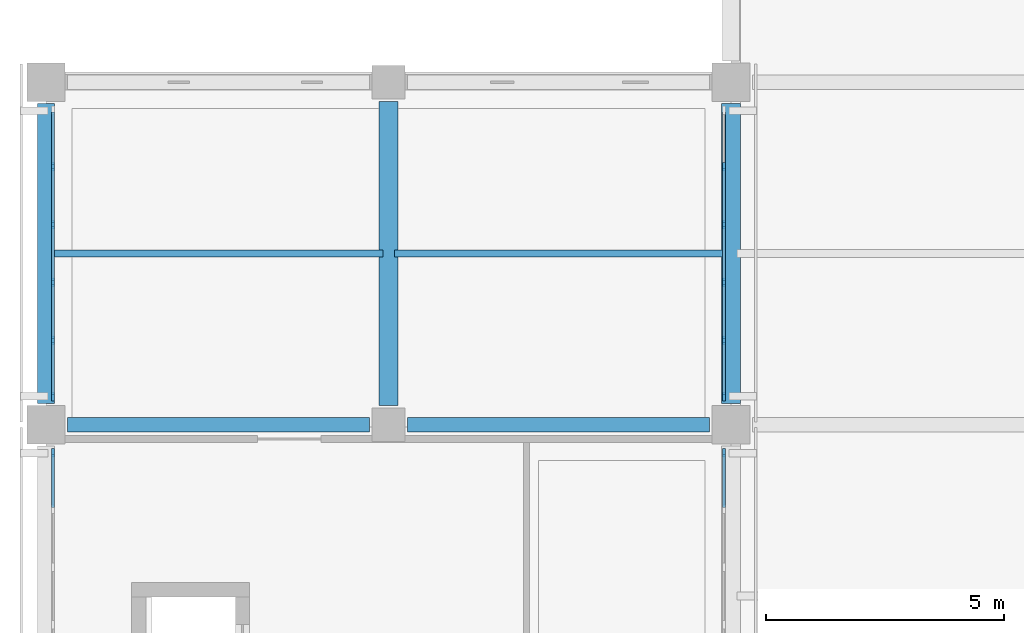
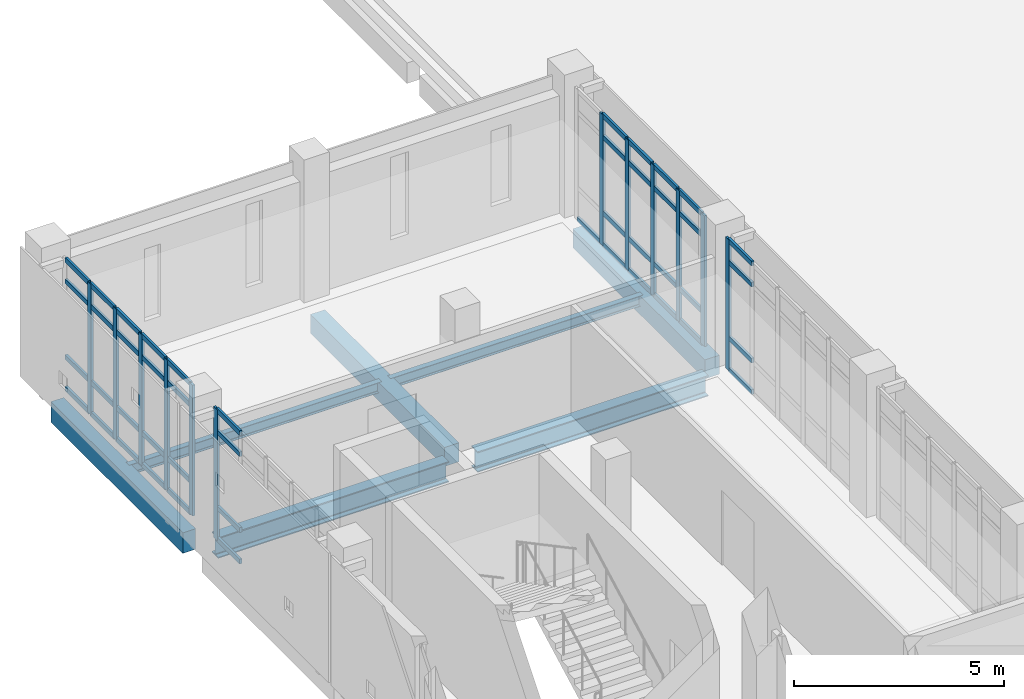
# One storey, part 21 of 51: 57 members, 7 beams, 4 elements without a shape of their own.
"""IFC4 building model written with IfcOpenShell, lengths in metres."""

from ifc_helpers import new_model, si_unit, direction, frame, origin, origin_2d, place, context, subcontext, project, spatial, rectangle, i_section, extrude, material, layer, layer_set, material_profile, profile_set, type_object, element, aggregate, save


model = new_model("IFC4")

# Units and contexts
model_context = context("Model", 3, precision=1e-05, world=origin(), true_north=direction((0.0, 1.0)))
body_context = subcontext(model_context, "Body", "Model", "MODEL_VIEW")
ifc_project = project(units=[si_unit("LENGTHUNIT", "METRE"), si_unit("AREAUNIT", "SQUARE_METRE"), si_unit("VOLUMEUNIT", "CUBIC_METRE"), si_unit("PLANEANGLEUNIT", "RADIAN"), si_unit("MASSUNIT", "GRAM", prefix="KILO")], contexts=[model_context])

# Site, building, storey
site_placement = place(None, origin())
site = spatial("IfcSite", under=ifc_project, at=site_placement, CompositionType="ELEMENT")
building_placement = place(site_placement, origin())
building = spatial("IfcBuilding", under=site, at=building_placement, Name="Valkovuoma Quantum and Materials Research Institute", CompositionType="ELEMENT")
storey_placement = place(building_placement, frame((0.0, 0.0, 17.280029296875)))
storey = spatial("IfcBuildingStorey", under=building, at=storey_placement, Name="L04", CompositionType="ELEMENT", Elevation=17.280029296875)

# Beams
ifc_material_1 = material(Name="Steel S355J2", Category="steel")
ifc_material_profile_1 = material_profile(ifc_material_1, i_section(OverallWidth=0.300048828125, OverallDepth=0.60009765625, WebThickness=0.015380859375, FlangeThickness=0.030029296875, FilletRadius=0.027099609375, at=origin_2d()), Name="Steel S355J2")
ifc_profile_set_1 = profile_set([ifc_material_profile_1], Name="Steel S355J2")
beam_type_1 = type_object("IfcBeamType", Name="Beam-B-HEB600", PredefinedType="BEAM", material=ifc_profile_set_1)
beam_1_placement = place(storey_placement, frame((0.449951171875, 86.39990234375, -0.650146484375), z_axis=(1.0, 0.0, 0.0), x_axis=(0.0, 1.0, 0.0)))
element("IfcBeam", 1, at=beam_1_placement, inside=storey, type_object=beam_type_1, Name="L04 beam X-1872", PredefinedType="BEAM", context=body_context, shape_type="SweptSolid", body=[
    extrude(i_section(OverallWidth=0.300048828125, OverallDepth=0.60009765625, WebThickness=0.015380859375, FlangeThickness=0.030029296875, FilletRadius=0.027099609375, at=origin_2d()), origin(), (0.0, 0.0, 1.0), 6.35009765625),
])
beam_2_placement = place(storey_placement, frame((7.60009765625, 86.39990234375, -0.650146484375), z_axis=(1.0, 0.0, 0.0), x_axis=(0.0, 1.0, 0.0)))
element("IfcBeam", 2, at=beam_2_placement, inside=storey, type_object=beam_type_1, Name="L04 beam X-1873", PredefinedType="BEAM", context=body_context, shape_type="SweptSolid", body=[
    extrude(i_section(OverallWidth=0.300048828125, OverallDepth=0.60009765625, WebThickness=0.015380859375, FlangeThickness=0.030029296875, FilletRadius=0.027099609375, at=origin_2d()), origin(), (0.0, 0.0, 1.0), 6.349853515625),
])
ifc_material_2 = material(Name="Steel S355J2", Category="steel")
ifc_material_profile_2 = material_profile(ifc_material_2, i_section(OverallWidth=0.14990234375, OverallDepth=0.300048828125, WebThickness=0.007080078125, FlangeThickness=0.0107421875, FilletRadius=0.014892578125, at=origin_2d()), Name="Steel S355J2")
ifc_profile_set_2 = profile_set([ifc_material_profile_2], Name="Steel S355J2")
beam_type_2 = type_object("IfcBeamType", Name="Beam-B-JST300", PredefinedType="JOIST", material=ifc_profile_set_2)
for number, where, z_axis, x_axis, name in (
    (3, (0.1201171875, 90.0, -0.5), (1.0, 0.0, 0.0), (0.0, 1.0, 0.0), "L04 floor joist 2074"),
    (4, (7.320068359375, 90.0, -0.5), (1.0, 0.0, 0.0), (0.0, 1.0, 0.0), "L04 floor joist 2075"),
):
    element("IfcBeam", number, at=place(storey_placement, frame(where, z_axis=z_axis, x_axis=x_axis)), inside=storey, type_object=beam_type_2, Name=name, PredefinedType="JOIST", context=body_context, shape_type="SweptSolid", body=[
        extrude(i_section(OverallWidth=0.14990234375, OverallDepth=0.300048828125, WebThickness=0.007080078125, FlangeThickness=0.0107421875, FilletRadius=0.014892578125, at=origin_2d()), origin(), (0.0, 0.0, 1.0), 6.9599609375),
    ])
ifc_material_3 = material(Name="Concrete C40/50", Category="concrete")
ifc_material_profile_3 = material_profile(ifc_material_3, rectangle(XDim=0.39990234375, YDim=0.550048828125, at=origin_2d()), Name="Concrete C40/50")
ifc_profile_set_3 = profile_set([ifc_material_profile_3], Name="Concrete C40/50")
beam_type_3 = type_object("IfcBeamType", Name="Beam-B-RC550", PredefinedType="BEAM", material=ifc_profile_set_3)
beam_3_placement = place(storey_placement, frame((7.199951171875, 86.800048828125, -0.625), z_axis=(0.0, 1.0, 0.0), x_axis=(-1.0, 0.0, 0.0)))
element("IfcBeam", 5, at=beam_3_placement, inside=storey, type_object=beam_type_3, Name="L04 beam Y-1924", PredefinedType="BEAM", context=body_context, shape_type="SweptSolid", body=[
    extrude(rectangle(XDim=0.39990234375, YDim=0.550048828125, at=origin_2d()), origin(), (0.0, 0.0, 1.0), 6.39990234375),
])
beam_4_placement = place(storey_placement, frame((14.39990234375, 86.85009765625, -0.625), z_axis=(0.0, 1.0, 0.0), x_axis=(-1.0, 0.0, 0.0)))
element("IfcBeam", 6, at=beam_4_placement, inside=storey, type_object=beam_type_3, Name="L04 beam Y-1929", PredefinedType="BEAM", context=body_context, shape_type="SweptSolid", body=[
    extrude(rectangle(XDim=0.39990234375, YDim=0.550048828125, at=origin_2d()), origin(), (0.0, 0.0, 1.0), 6.2998046875),
])
ifc_material_4 = material(Name="Concrete C40/50", Category="concrete")
ifc_material_profile_4 = material_profile(ifc_material_4, rectangle(XDim=0.35009765625, YDim=0.60009765625, at=origin_2d()), Name="Concrete C40/50")
ifc_profile_set_4 = profile_set([ifc_material_profile_4], Name="Concrete C40/50")
beam_type_4 = type_object("IfcBeamType", Name="Beam-B-SPN600", PredefinedType="SPANDREL", material=ifc_profile_set_4)
beam_5_placement = place(storey_placement, frame((0.0, 86.85009765625, -0.650146484375), z_axis=(0.0, 1.0, 0.0), x_axis=(-1.0, 0.0, 0.0)))
element("IfcBeam", 7, at=beam_5_placement, inside=storey, type_object=beam_type_4, Name="L04 beam Y-1921", PredefinedType="SPANDREL", context=body_context, shape_type="SweptSolid", body=[
    extrude(rectangle(XDim=0.35009765625, YDim=0.60009765625, at=origin_2d()), origin(), (0.0, 0.0, 1.0), 6.2998046875),
])

# Curtain wall, member
ifc_material_5 = material(Name="Thermally broken aluminium and triple low-E glazing", Category="aluminium")
ifc_layer = layer(ifc_material_5, 0.219970703125)
ifc_layer_set = layer_set([ifc_layer], Name="Thermally broken aluminium and triple low-E glazing")
curtain_wall_type = type_object("IfcCurtainWallType", Name="CW-CW-01", PredefinedType="NOTDEFINED", material=ifc_layer_set)
curtain_wall_1_placement = place(storey_placement, origin())
curtain_wall_1 = element("IfcCurtainWall", 8, at=curtain_wall_1_placement, inside=storey, type_object=curtain_wall_type, Name="L04 curtain wall 051", PredefinedType="NOTDEFINED")
ifc_material_6 = material(Name="Anodised aluminium 6060-T66", Category="aluminium")
ifc_material_profile_5 = material_profile(ifc_material_6, rectangle(XDim=0.06494140625, YDim=0.179931640625, at=origin_2d()), Name="Anodised aluminium 6060-T66")
ifc_profile_set_5 = profile_set([ifc_material_profile_5], Name="Anodised aluminium 6060-T66")
member_type_1 = type_object("IfcMemberType", Name="CWMull-CWM-01", PredefinedType="MULLION", material=ifc_profile_set_5)
member_1_placement = place(storey_placement, frame((0.14990234375, 85.810302734375, 0.0), z_axis=(0.0, 0.0, 1.0), x_axis=(-1.0, 0.0, 0.0)))
member_1 = element("IfcMember", 9, at=member_1_placement, type_object=member_type_1, Name="CW-01 mullion 6", PredefinedType="MULLION", context=body_context, shape_type="SweptSolid", body=[
    extrude(rectangle(XDim=0.06494140625, YDim=0.179931640625, at=origin_2d()), origin(), (0.0, 0.0, 1.0), 3.81005859375),
])

curtain_wall_2_placement = place(storey_placement, origin())
curtain_wall_2 = element("IfcCurtainWall", 10, at=curtain_wall_2_placement, inside=storey, type_object=curtain_wall_type, Name="L04 curtain wall 052", PredefinedType="NOTDEFINED")
member_2_placement = place(storey_placement, frame((14.25, 85.810302734375, 0.0), z_axis=(0.0, 0.0, 1.0), x_axis=(-1.0, 0.0, 0.0)))
member_2 = element("IfcMember", 11, at=member_2_placement, type_object=member_type_1, Name="CW-01 mullion 6", PredefinedType="MULLION", context=body_context, shape_type="SweptSolid", body=[
    extrude(rectangle(XDim=0.06494140625, YDim=0.179931640625, at=origin_2d()), origin(), (0.0, 0.0, 1.0), 3.81005859375),
])

# Curtain wall, members
curtain_wall_3_placement = place(storey_placement, origin())
curtain_wall_3 = element("IfcCurtainWall", 12, at=curtain_wall_3_placement, inside=storey, type_object=curtain_wall_type, Name="L04 curtain wall 053", PredefinedType="NOTDEFINED")
member_3_placement = place(storey_placement, frame((0.14990234375, 86.989501953125, 0.0), z_axis=(0.0, 0.0, 1.0), x_axis=(-1.0, 0.0, 0.0)))
member_3 = element("IfcMember", 13, at=member_3_placement, type_object=member_type_1, Name="CW-01 mullion 1", PredefinedType="MULLION", context=body_context, shape_type="SweptSolid", body=[
    extrude(rectangle(XDim=0.06494140625, YDim=0.179931640625, at=origin_2d()), origin(), (0.0, 0.0, 1.0), 3.81005859375),
])
member_4_placement = place(storey_placement, frame((0.14990234375, 88.17431640625, 0.0), z_axis=(0.0, 0.0, 1.0), x_axis=(-1.0, 0.0, 0.0)))
member_4 = element("IfcMember", 14, at=member_4_placement, type_object=member_type_1, Name="CW-01 mullion 2", PredefinedType="MULLION", context=body_context, shape_type="SweptSolid", body=[
    extrude(rectangle(XDim=0.06494140625, YDim=0.179931640625, at=origin_2d()), origin(), (0.0, 0.0, 1.0), 3.81005859375),
])
member_5_placement = place(storey_placement, frame((0.14990234375, 89.391357421875, 0.0), z_axis=(0.0, 0.0, 1.0), x_axis=(-1.0, 0.0, 0.0)))
member_5 = element("IfcMember", 15, at=member_5_placement, type_object=member_type_1, Name="CW-01 mullion 3", PredefinedType="MULLION", context=body_context, shape_type="SweptSolid", body=[
    extrude(rectangle(XDim=0.06494140625, YDim=0.179931640625, at=origin_2d()), origin(), (0.0, 0.0, 1.0), 3.81005859375),
])
member_6_placement = place(storey_placement, frame((0.14990234375, 90.608642578125, 0.0), z_axis=(0.0, 0.0, 1.0), x_axis=(-1.0, 0.0, 0.0)))
member_6 = element("IfcMember", 16, at=member_6_placement, type_object=member_type_1, Name="CW-01 mullion 4", PredefinedType="MULLION", context=body_context, shape_type="SweptSolid", body=[
    extrude(rectangle(XDim=0.06494140625, YDim=0.179931640625, at=origin_2d()), origin(), (0.0, 0.0, 1.0), 3.81005859375),
])
member_7_placement = place(storey_placement, frame((0.14990234375, 91.82568359375, 0.0), z_axis=(0.0, 0.0, 1.0), x_axis=(-1.0, 0.0, 0.0)))
member_7 = element("IfcMember", 17, at=member_7_placement, type_object=member_type_1, Name="CW-01 mullion 5", PredefinedType="MULLION", context=body_context, shape_type="SweptSolid", body=[
    extrude(rectangle(XDim=0.06494140625, YDim=0.179931640625, at=origin_2d()), origin(), (0.0, 0.0, 1.0), 3.81005859375),
])

curtain_wall_4_placement = place(storey_placement, origin())
curtain_wall_4 = element("IfcCurtainWall", 18, at=curtain_wall_4_placement, inside=storey, type_object=curtain_wall_type, Name="L04 curtain wall 054", PredefinedType="NOTDEFINED")
member_8_placement = place(storey_placement, frame((14.25, 86.989501953125, 0.0), z_axis=(0.0, 0.0, 1.0), x_axis=(-1.0, 0.0, 0.0)))
member_8 = element("IfcMember", 19, at=member_8_placement, type_object=member_type_1, Name="CW-01 mullion 1", PredefinedType="MULLION", context=body_context, shape_type="SweptSolid", body=[
    extrude(rectangle(XDim=0.06494140625, YDim=0.179931640625, at=origin_2d()), origin(), (0.0, 0.0, 1.0), 3.81005859375),
])
member_9_placement = place(storey_placement, frame((14.25, 88.17431640625, 0.0), z_axis=(0.0, 0.0, 1.0), x_axis=(-1.0, 0.0, 0.0)))
member_9 = element("IfcMember", 20, at=member_9_placement, type_object=member_type_1, Name="CW-01 mullion 2", PredefinedType="MULLION", context=body_context, shape_type="SweptSolid", body=[
    extrude(rectangle(XDim=0.06494140625, YDim=0.179931640625, at=origin_2d()), origin(), (0.0, 0.0, 1.0), 3.81005859375),
])
member_10_placement = place(storey_placement, frame((14.25, 89.391357421875, 0.0), z_axis=(0.0, 0.0, 1.0), x_axis=(-1.0, 0.0, 0.0)))
member_10 = element("IfcMember", 21, at=member_10_placement, type_object=member_type_1, Name="CW-01 mullion 3", PredefinedType="MULLION", context=body_context, shape_type="SweptSolid", body=[
    extrude(rectangle(XDim=0.06494140625, YDim=0.179931640625, at=origin_2d()), origin(), (0.0, 0.0, 1.0), 3.81005859375),
])
member_11_placement = place(storey_placement, frame((14.25, 90.608642578125, 0.0), z_axis=(0.0, 0.0, 1.0), x_axis=(-1.0, 0.0, 0.0)))
member_11 = element("IfcMember", 22, at=member_11_placement, type_object=member_type_1, Name="CW-01 mullion 4", PredefinedType="MULLION", context=body_context, shape_type="SweptSolid", body=[
    extrude(rectangle(XDim=0.06494140625, YDim=0.179931640625, at=origin_2d()), origin(), (0.0, 0.0, 1.0), 3.81005859375),
])
member_12_placement = place(storey_placement, frame((14.25, 91.82568359375, 0.0), z_axis=(0.0, 0.0, 1.0), x_axis=(-1.0, 0.0, 0.0)))
member_12 = element("IfcMember", 23, at=member_12_placement, type_object=member_type_1, Name="CW-01 mullion 5", PredefinedType="MULLION", context=body_context, shape_type="SweptSolid", body=[
    extrude(rectangle(XDim=0.06494140625, YDim=0.179931640625, at=origin_2d()), origin(), (0.0, 0.0, 1.0), 3.81005859375),
])

# Member
ifc_material_7 = material(Name="Anodised aluminium 6060-T66", Category="aluminium")
ifc_material_profile_6 = material_profile(ifc_material_7, rectangle(XDim=0.06494140625, YDim=0.139892578125, at=origin_2d()), Name="Anodised aluminium 6060-T66")
ifc_profile_set_6 = profile_set([ifc_material_profile_6], Name="Anodised aluminium 6060-T66")
member_type_2 = type_object("IfcMemberType", Name="CWTran-CWT-01", PredefinedType="USERDEFINED", material=ifc_profile_set_6)
member_13_placement = place(storey_placement, frame((0.14990234375, 84.658203125, 0.032470703125), z_axis=(0.0, 1.0, 0.0), x_axis=(-1.0, 0.0, 0.0)))
member_13 = element("IfcMember", 24, at=member_13_placement, type_object=member_type_2, Name="CW-01 transom 5.1", ObjectType="TRANSOM", PredefinedType="USERDEFINED", context=body_context, shape_type="SweptSolid", body=[
    extrude(rectangle(XDim=0.06494140625, YDim=0.139892578125, at=origin_2d()), origin(), (0.0, 0.0, 1.0), 1.11962890625),
])

member_14_placement = place(storey_placement, frame((0.14990234375, 84.658203125, 0.949951171875), z_axis=(0.0, 1.0, 0.0), x_axis=(-1.0, 0.0, 0.0)))
member_14 = element("IfcMember", 25, at=member_14_placement, type_object=member_type_2, Name="CW-01 transom 5.2", ObjectType="TRANSOM", PredefinedType="USERDEFINED", context=body_context, shape_type="SweptSolid", body=[
    extrude(rectangle(XDim=0.06494140625, YDim=0.139892578125, at=origin_2d()), origin(), (0.0, 0.0, 1.0), 1.11962890625),
])

member_15_placement = place(storey_placement, frame((0.14990234375, 84.658203125, 3.159912109375), z_axis=(0.0, 1.0, 0.0), x_axis=(-1.0, 0.0, 0.0)))
member_15 = element("IfcMember", 26, at=member_15_placement, type_object=member_type_2, Name="CW-01 transom 5.3", ObjectType="TRANSOM", PredefinedType="USERDEFINED", context=body_context, shape_type="SweptSolid", body=[
    extrude(rectangle(XDim=0.06494140625, YDim=0.139892578125, at=origin_2d()), origin(), (0.0, 0.0, 1.0), 1.11962890625),
])

member_16_placement = place(storey_placement, frame((0.14990234375, 84.658203125, 3.777587890625), z_axis=(0.0, 1.0, 0.0), x_axis=(-1.0, 0.0, 0.0)))
member_16 = element("IfcMember", 27, at=member_16_placement, type_object=member_type_2, Name="CW-01 transom 5.4", ObjectType="TRANSOM", PredefinedType="USERDEFINED", context=body_context, shape_type="SweptSolid", body=[
    extrude(rectangle(XDim=0.06494140625, YDim=0.139892578125, at=origin_2d()), origin(), (0.0, 0.0, 1.0), 1.11962890625),
])

aggregate(curtain_wall_1, [member_1, member_13, member_14, member_15, member_16])

member_17_placement = place(storey_placement, frame((14.25, 84.658203125, 0.032470703125), z_axis=(0.0, 1.0, 0.0), x_axis=(-1.0, 0.0, 0.0)))
member_17 = element("IfcMember", 28, at=member_17_placement, type_object=member_type_2, Name="CW-01 transom 5.1", ObjectType="TRANSOM", PredefinedType="USERDEFINED", context=body_context, shape_type="SweptSolid", body=[
    extrude(rectangle(XDim=0.06494140625, YDim=0.139892578125, at=origin_2d()), origin(), (0.0, 0.0, 1.0), 1.11962890625),
])

member_18_placement = place(storey_placement, frame((14.25, 84.658203125, 0.949951171875), z_axis=(0.0, 1.0, 0.0), x_axis=(-1.0, 0.0, 0.0)))
member_18 = element("IfcMember", 29, at=member_18_placement, type_object=member_type_2, Name="CW-01 transom 5.2", ObjectType="TRANSOM", PredefinedType="USERDEFINED", context=body_context, shape_type="SweptSolid", body=[
    extrude(rectangle(XDim=0.06494140625, YDim=0.139892578125, at=origin_2d()), origin(), (0.0, 0.0, 1.0), 1.11962890625),
])

member_19_placement = place(storey_placement, frame((14.25, 84.658203125, 3.159912109375), z_axis=(0.0, 1.0, 0.0), x_axis=(-1.0, 0.0, 0.0)))
member_19 = element("IfcMember", 30, at=member_19_placement, type_object=member_type_2, Name="CW-01 transom 5.3", ObjectType="TRANSOM", PredefinedType="USERDEFINED", context=body_context, shape_type="SweptSolid", body=[
    extrude(rectangle(XDim=0.06494140625, YDim=0.139892578125, at=origin_2d()), origin(), (0.0, 0.0, 1.0), 1.11962890625),
])

member_20_placement = place(storey_placement, frame((14.25, 84.658203125, 3.777587890625), z_axis=(0.0, 1.0, 0.0), x_axis=(-1.0, 0.0, 0.0)))
member_20 = element("IfcMember", 31, at=member_20_placement, type_object=member_type_2, Name="CW-01 transom 5.4", ObjectType="TRANSOM", PredefinedType="USERDEFINED", context=body_context, shape_type="SweptSolid", body=[
    extrude(rectangle(XDim=0.06494140625, YDim=0.139892578125, at=origin_2d()), origin(), (0.0, 0.0, 1.0), 1.11962890625),
])

aggregate(curtain_wall_2, [member_2, member_17, member_18, member_19, member_20])

member_21_placement = place(storey_placement, frame((0.14990234375, 87.022216796875, 0.032470703125), z_axis=(0.0, 1.0, 0.0), x_axis=(-1.0, 0.0, 0.0)))
member_21 = element("IfcMember", 32, at=member_21_placement, type_object=member_type_2, Name="CW-01 transom 1.1", ObjectType="TRANSOM", PredefinedType="USERDEFINED", context=body_context, shape_type="SweptSolid", body=[
    extrude(rectangle(XDim=0.06494140625, YDim=0.139892578125, at=origin_2d()), origin(), (0.0, 0.0, 1.0), 1.11962890625),
])

member_22_placement = place(storey_placement, frame((0.14990234375, 87.022216796875, 0.949951171875), z_axis=(0.0, 1.0, 0.0), x_axis=(-1.0, 0.0, 0.0)))
member_22 = element("IfcMember", 33, at=member_22_placement, type_object=member_type_2, Name="CW-01 transom 1.2", ObjectType="TRANSOM", PredefinedType="USERDEFINED", context=body_context, shape_type="SweptSolid", body=[
    extrude(rectangle(XDim=0.06494140625, YDim=0.139892578125, at=origin_2d()), origin(), (0.0, 0.0, 1.0), 1.11962890625),
])

member_23_placement = place(storey_placement, frame((0.14990234375, 87.022216796875, 3.159912109375), z_axis=(0.0, 1.0, 0.0), x_axis=(-1.0, 0.0, 0.0)))
member_23 = element("IfcMember", 34, at=member_23_placement, type_object=member_type_2, Name="CW-01 transom 1.3", ObjectType="TRANSOM", PredefinedType="USERDEFINED", context=body_context, shape_type="SweptSolid", body=[
    extrude(rectangle(XDim=0.06494140625, YDim=0.139892578125, at=origin_2d()), origin(), (0.0, 0.0, 1.0), 1.11962890625),
])

member_24_placement = place(storey_placement, frame((0.14990234375, 87.022216796875, 3.777587890625), z_axis=(0.0, 1.0, 0.0), x_axis=(-1.0, 0.0, 0.0)))
member_24 = element("IfcMember", 35, at=member_24_placement, type_object=member_type_2, Name="CW-01 transom 1.4", ObjectType="TRANSOM", PredefinedType="USERDEFINED", context=body_context, shape_type="SweptSolid", body=[
    extrude(rectangle(XDim=0.06494140625, YDim=0.139892578125, at=origin_2d()), origin(), (0.0, 0.0, 1.0), 1.11962890625),
])

member_25_placement = place(storey_placement, frame((0.14990234375, 88.206787109375, 0.032470703125), z_axis=(0.0, 1.0, 0.0), x_axis=(-1.0, 0.0, 0.0)))
member_25 = element("IfcMember", 36, at=member_25_placement, type_object=member_type_2, Name="CW-01 transom 2.1", ObjectType="TRANSOM", PredefinedType="USERDEFINED", context=body_context, shape_type="SweptSolid", body=[
    extrude(rectangle(XDim=0.06494140625, YDim=0.139892578125, at=origin_2d()), origin(), (0.0, 0.0, 1.0), 1.152099609375),
])

member_26_placement = place(storey_placement, frame((0.14990234375, 88.206787109375, 0.949951171875), z_axis=(0.0, 1.0, 0.0), x_axis=(-1.0, 0.0, 0.0)))
member_26 = element("IfcMember", 37, at=member_26_placement, type_object=member_type_2, Name="CW-01 transom 2.2", ObjectType="TRANSOM", PredefinedType="USERDEFINED", context=body_context, shape_type="SweptSolid", body=[
    extrude(rectangle(XDim=0.06494140625, YDim=0.139892578125, at=origin_2d()), origin(), (0.0, 0.0, 1.0), 1.152099609375),
])

member_27_placement = place(storey_placement, frame((0.14990234375, 88.206787109375, 3.159912109375), z_axis=(0.0, 1.0, 0.0), x_axis=(-1.0, 0.0, 0.0)))
member_27 = element("IfcMember", 38, at=member_27_placement, type_object=member_type_2, Name="CW-01 transom 2.3", ObjectType="TRANSOM", PredefinedType="USERDEFINED", context=body_context, shape_type="SweptSolid", body=[
    extrude(rectangle(XDim=0.06494140625, YDim=0.139892578125, at=origin_2d()), origin(), (0.0, 0.0, 1.0), 1.152099609375),
])

member_28_placement = place(storey_placement, frame((0.14990234375, 88.206787109375, 3.777587890625), z_axis=(0.0, 1.0, 0.0), x_axis=(-1.0, 0.0, 0.0)))
member_28 = element("IfcMember", 39, at=member_28_placement, type_object=member_type_2, Name="CW-01 transom 2.4", ObjectType="TRANSOM", PredefinedType="USERDEFINED", context=body_context, shape_type="SweptSolid", body=[
    extrude(rectangle(XDim=0.06494140625, YDim=0.139892578125, at=origin_2d()), origin(), (0.0, 0.0, 1.0), 1.152099609375),
])

member_29_placement = place(storey_placement, frame((0.14990234375, 89.423828125, 0.032470703125), z_axis=(0.0, 1.0, 0.0), x_axis=(-1.0, 0.0, 0.0)))
member_29 = element("IfcMember", 40, at=member_29_placement, type_object=member_type_2, Name="CW-01 transom 3.1", ObjectType="TRANSOM", PredefinedType="USERDEFINED", context=body_context, shape_type="SweptSolid", body=[
    extrude(rectangle(XDim=0.06494140625, YDim=0.139892578125, at=origin_2d()), origin(), (0.0, 0.0, 1.0), 1.15234375),
])

member_30_placement = place(storey_placement, frame((0.14990234375, 89.423828125, 0.949951171875), z_axis=(0.0, 1.0, 0.0), x_axis=(-1.0, 0.0, 0.0)))
member_30 = element("IfcMember", 41, at=member_30_placement, type_object=member_type_2, Name="CW-01 transom 3.2", ObjectType="TRANSOM", PredefinedType="USERDEFINED", context=body_context, shape_type="SweptSolid", body=[
    extrude(rectangle(XDim=0.06494140625, YDim=0.139892578125, at=origin_2d()), origin(), (0.0, 0.0, 1.0), 1.15234375),
])

member_31_placement = place(storey_placement, frame((0.14990234375, 89.423828125, 3.159912109375), z_axis=(0.0, 1.0, 0.0), x_axis=(-1.0, 0.0, 0.0)))
member_31 = element("IfcMember", 42, at=member_31_placement, type_object=member_type_2, Name="CW-01 transom 3.3", ObjectType="TRANSOM", PredefinedType="USERDEFINED", context=body_context, shape_type="SweptSolid", body=[
    extrude(rectangle(XDim=0.06494140625, YDim=0.139892578125, at=origin_2d()), origin(), (0.0, 0.0, 1.0), 1.15234375),
])

member_32_placement = place(storey_placement, frame((0.14990234375, 89.423828125, 3.777587890625), z_axis=(0.0, 1.0, 0.0), x_axis=(-1.0, 0.0, 0.0)))
member_32 = element("IfcMember", 43, at=member_32_placement, type_object=member_type_2, Name="CW-01 transom 3.4", ObjectType="TRANSOM", PredefinedType="USERDEFINED", context=body_context, shape_type="SweptSolid", body=[
    extrude(rectangle(XDim=0.06494140625, YDim=0.139892578125, at=origin_2d()), origin(), (0.0, 0.0, 1.0), 1.15234375),
])

member_33_placement = place(storey_placement, frame((0.14990234375, 90.64111328125, 0.032470703125), z_axis=(0.0, 1.0, 0.0), x_axis=(-1.0, 0.0, 0.0)))
member_33 = element("IfcMember", 44, at=member_33_placement, type_object=member_type_2, Name="CW-01 transom 4.1", ObjectType="TRANSOM", PredefinedType="USERDEFINED", context=body_context, shape_type="SweptSolid", body=[
    extrude(rectangle(XDim=0.06494140625, YDim=0.139892578125, at=origin_2d()), origin(), (0.0, 0.0, 1.0), 1.152099609375),
])

member_34_placement = place(storey_placement, frame((0.14990234375, 90.64111328125, 0.949951171875), z_axis=(0.0, 1.0, 0.0), x_axis=(-1.0, 0.0, 0.0)))
member_34 = element("IfcMember", 45, at=member_34_placement, type_object=member_type_2, Name="CW-01 transom 4.2", ObjectType="TRANSOM", PredefinedType="USERDEFINED", context=body_context, shape_type="SweptSolid", body=[
    extrude(rectangle(XDim=0.06494140625, YDim=0.139892578125, at=origin_2d()), origin(), (0.0, 0.0, 1.0), 1.152099609375),
])

member_35_placement = place(storey_placement, frame((0.14990234375, 90.64111328125, 3.159912109375), z_axis=(0.0, 1.0, 0.0), x_axis=(-1.0, 0.0, 0.0)))
member_35 = element("IfcMember", 46, at=member_35_placement, type_object=member_type_2, Name="CW-01 transom 4.3", ObjectType="TRANSOM", PredefinedType="USERDEFINED", context=body_context, shape_type="SweptSolid", body=[
    extrude(rectangle(XDim=0.06494140625, YDim=0.139892578125, at=origin_2d()), origin(), (0.0, 0.0, 1.0), 1.152099609375),
])

member_36_placement = place(storey_placement, frame((0.14990234375, 90.64111328125, 3.777587890625), z_axis=(0.0, 1.0, 0.0), x_axis=(-1.0, 0.0, 0.0)))
member_36 = element("IfcMember", 47, at=member_36_placement, type_object=member_type_2, Name="CW-01 transom 4.4", ObjectType="TRANSOM", PredefinedType="USERDEFINED", context=body_context, shape_type="SweptSolid", body=[
    extrude(rectangle(XDim=0.06494140625, YDim=0.139892578125, at=origin_2d()), origin(), (0.0, 0.0, 1.0), 1.152099609375),
])

member_37_placement = place(storey_placement, frame((0.14990234375, 91.858154296875, 0.032470703125), z_axis=(0.0, 1.0, 0.0), x_axis=(-1.0, 0.0, 0.0)))
member_37 = element("IfcMember", 48, at=member_37_placement, type_object=member_type_2, Name="CW-01 transom 5.1", ObjectType="TRANSOM", PredefinedType="USERDEFINED", context=body_context, shape_type="SweptSolid", body=[
    extrude(rectangle(XDim=0.06494140625, YDim=0.139892578125, at=origin_2d()), origin(), (0.0, 0.0, 1.0), 1.11962890625),
])

member_38_placement = place(storey_placement, frame((0.14990234375, 91.858154296875, 0.949951171875), z_axis=(0.0, 1.0, 0.0), x_axis=(-1.0, 0.0, 0.0)))
member_38 = element("IfcMember", 49, at=member_38_placement, type_object=member_type_2, Name="CW-01 transom 5.2", ObjectType="TRANSOM", PredefinedType="USERDEFINED", context=body_context, shape_type="SweptSolid", body=[
    extrude(rectangle(XDim=0.06494140625, YDim=0.139892578125, at=origin_2d()), origin(), (0.0, 0.0, 1.0), 1.11962890625),
])

member_39_placement = place(storey_placement, frame((0.14990234375, 91.858154296875, 3.159912109375), z_axis=(0.0, 1.0, 0.0), x_axis=(-1.0, 0.0, 0.0)))
member_39 = element("IfcMember", 50, at=member_39_placement, type_object=member_type_2, Name="CW-01 transom 5.3", ObjectType="TRANSOM", PredefinedType="USERDEFINED", context=body_context, shape_type="SweptSolid", body=[
    extrude(rectangle(XDim=0.06494140625, YDim=0.139892578125, at=origin_2d()), origin(), (0.0, 0.0, 1.0), 1.11962890625),
])

member_40_placement = place(storey_placement, frame((0.14990234375, 91.858154296875, 3.777587890625), z_axis=(0.0, 1.0, 0.0), x_axis=(-1.0, 0.0, 0.0)))
member_40 = element("IfcMember", 51, at=member_40_placement, type_object=member_type_2, Name="CW-01 transom 5.4", ObjectType="TRANSOM", PredefinedType="USERDEFINED", context=body_context, shape_type="SweptSolid", body=[
    extrude(rectangle(XDim=0.06494140625, YDim=0.139892578125, at=origin_2d()), origin(), (0.0, 0.0, 1.0), 1.11962890625),
])

aggregate(curtain_wall_3, [member_3, member_4, member_5, member_6, member_7, member_21, member_22, member_23, member_24, member_25, member_26, member_27, member_28, member_29, member_30, member_31, member_32, member_33, member_34, member_35, member_36, member_37, member_38, member_39, member_40])

member_41_placement = place(storey_placement, frame((14.25, 87.022216796875, 0.032470703125), z_axis=(0.0, 1.0, 0.0), x_axis=(-1.0, 0.0, 0.0)))
member_41 = element("IfcMember", 52, at=member_41_placement, type_object=member_type_2, Name="CW-01 transom 1.1", ObjectType="TRANSOM", PredefinedType="USERDEFINED", context=body_context, shape_type="SweptSolid", body=[
    extrude(rectangle(XDim=0.06494140625, YDim=0.139892578125, at=origin_2d()), origin(), (0.0, 0.0, 1.0), 1.11962890625),
])

member_42_placement = place(storey_placement, frame((14.25, 87.022216796875, 0.949951171875), z_axis=(0.0, 1.0, 0.0), x_axis=(-1.0, 0.0, 0.0)))
member_42 = element("IfcMember", 53, at=member_42_placement, type_object=member_type_2, Name="CW-01 transom 1.2", ObjectType="TRANSOM", PredefinedType="USERDEFINED", context=body_context, shape_type="SweptSolid", body=[
    extrude(rectangle(XDim=0.06494140625, YDim=0.139892578125, at=origin_2d()), origin(), (0.0, 0.0, 1.0), 1.11962890625),
])

member_43_placement = place(storey_placement, frame((14.25, 87.022216796875, 3.159912109375), z_axis=(0.0, 1.0, 0.0), x_axis=(-1.0, 0.0, 0.0)))
member_43 = element("IfcMember", 54, at=member_43_placement, type_object=member_type_2, Name="CW-01 transom 1.3", ObjectType="TRANSOM", PredefinedType="USERDEFINED", context=body_context, shape_type="SweptSolid", body=[
    extrude(rectangle(XDim=0.06494140625, YDim=0.139892578125, at=origin_2d()), origin(), (0.0, 0.0, 1.0), 1.11962890625),
])

member_44_placement = place(storey_placement, frame((14.25, 87.022216796875, 3.777587890625), z_axis=(0.0, 1.0, 0.0), x_axis=(-1.0, 0.0, 0.0)))
member_44 = element("IfcMember", 55, at=member_44_placement, type_object=member_type_2, Name="CW-01 transom 1.4", ObjectType="TRANSOM", PredefinedType="USERDEFINED", context=body_context, shape_type="SweptSolid", body=[
    extrude(rectangle(XDim=0.06494140625, YDim=0.139892578125, at=origin_2d()), origin(), (0.0, 0.0, 1.0), 1.11962890625),
])

member_45_placement = place(storey_placement, frame((14.25, 88.206787109375, 0.032470703125), z_axis=(0.0, 1.0, 0.0), x_axis=(-1.0, 0.0, 0.0)))
member_45 = element("IfcMember", 56, at=member_45_placement, type_object=member_type_2, Name="CW-01 transom 2.1", ObjectType="TRANSOM", PredefinedType="USERDEFINED", context=body_context, shape_type="SweptSolid", body=[
    extrude(rectangle(XDim=0.06494140625, YDim=0.139892578125, at=origin_2d()), origin(), (0.0, 0.0, 1.0), 1.152099609375),
])

member_46_placement = place(storey_placement, frame((14.25, 88.206787109375, 0.949951171875), z_axis=(0.0, 1.0, 0.0), x_axis=(-1.0, 0.0, 0.0)))
member_46 = element("IfcMember", 57, at=member_46_placement, type_object=member_type_2, Name="CW-01 transom 2.2", ObjectType="TRANSOM", PredefinedType="USERDEFINED", context=body_context, shape_type="SweptSolid", body=[
    extrude(rectangle(XDim=0.06494140625, YDim=0.139892578125, at=origin_2d()), origin(), (0.0, 0.0, 1.0), 1.152099609375),
])

member_47_placement = place(storey_placement, frame((14.25, 88.206787109375, 3.159912109375), z_axis=(0.0, 1.0, 0.0), x_axis=(-1.0, 0.0, 0.0)))
member_47 = element("IfcMember", 58, at=member_47_placement, type_object=member_type_2, Name="CW-01 transom 2.3", ObjectType="TRANSOM", PredefinedType="USERDEFINED", context=body_context, shape_type="SweptSolid", body=[
    extrude(rectangle(XDim=0.06494140625, YDim=0.139892578125, at=origin_2d()), origin(), (0.0, 0.0, 1.0), 1.152099609375),
])

member_48_placement = place(storey_placement, frame((14.25, 88.206787109375, 3.777587890625), z_axis=(0.0, 1.0, 0.0), x_axis=(-1.0, 0.0, 0.0)))
member_48 = element("IfcMember", 59, at=member_48_placement, type_object=member_type_2, Name="CW-01 transom 2.4", ObjectType="TRANSOM", PredefinedType="USERDEFINED", context=body_context, shape_type="SweptSolid", body=[
    extrude(rectangle(XDim=0.06494140625, YDim=0.139892578125, at=origin_2d()), origin(), (0.0, 0.0, 1.0), 1.152099609375),
])

member_49_placement = place(storey_placement, frame((14.25, 89.423828125, 0.032470703125), z_axis=(0.0, 1.0, 0.0), x_axis=(-1.0, 0.0, 0.0)))
member_49 = element("IfcMember", 60, at=member_49_placement, type_object=member_type_2, Name="CW-01 transom 3.1", ObjectType="TRANSOM", PredefinedType="USERDEFINED", context=body_context, shape_type="SweptSolid", body=[
    extrude(rectangle(XDim=0.06494140625, YDim=0.139892578125, at=origin_2d()), origin(), (0.0, 0.0, 1.0), 1.15234375),
])

member_50_placement = place(storey_placement, frame((14.25, 89.423828125, 0.949951171875), z_axis=(0.0, 1.0, 0.0), x_axis=(-1.0, 0.0, 0.0)))
member_50 = element("IfcMember", 61, at=member_50_placement, type_object=member_type_2, Name="CW-01 transom 3.2", ObjectType="TRANSOM", PredefinedType="USERDEFINED", context=body_context, shape_type="SweptSolid", body=[
    extrude(rectangle(XDim=0.06494140625, YDim=0.139892578125, at=origin_2d()), origin(), (0.0, 0.0, 1.0), 1.15234375),
])

member_51_placement = place(storey_placement, frame((14.25, 89.423828125, 3.159912109375), z_axis=(0.0, 1.0, 0.0), x_axis=(-1.0, 0.0, 0.0)))
member_51 = element("IfcMember", 62, at=member_51_placement, type_object=member_type_2, Name="CW-01 transom 3.3", ObjectType="TRANSOM", PredefinedType="USERDEFINED", context=body_context, shape_type="SweptSolid", body=[
    extrude(rectangle(XDim=0.06494140625, YDim=0.139892578125, at=origin_2d()), origin(), (0.0, 0.0, 1.0), 1.15234375),
])

member_52_placement = place(storey_placement, frame((14.25, 89.423828125, 3.777587890625), z_axis=(0.0, 1.0, 0.0), x_axis=(-1.0, 0.0, 0.0)))
member_52 = element("IfcMember", 63, at=member_52_placement, type_object=member_type_2, Name="CW-01 transom 3.4", ObjectType="TRANSOM", PredefinedType="USERDEFINED", context=body_context, shape_type="SweptSolid", body=[
    extrude(rectangle(XDim=0.06494140625, YDim=0.139892578125, at=origin_2d()), origin(), (0.0, 0.0, 1.0), 1.15234375),
])

member_53_placement = place(storey_placement, frame((14.25, 90.64111328125, 0.032470703125), z_axis=(0.0, 1.0, 0.0), x_axis=(-1.0, 0.0, 0.0)))
member_53 = element("IfcMember", 64, at=member_53_placement, type_object=member_type_2, Name="CW-01 transom 4.1", ObjectType="TRANSOM", PredefinedType="USERDEFINED", context=body_context, shape_type="SweptSolid", body=[
    extrude(rectangle(XDim=0.06494140625, YDim=0.139892578125, at=origin_2d()), origin(), (0.0, 0.0, 1.0), 1.152099609375),
])

member_54_placement = place(storey_placement, frame((14.25, 90.64111328125, 0.949951171875), z_axis=(0.0, 1.0, 0.0), x_axis=(-1.0, 0.0, 0.0)))
member_54 = element("IfcMember", 65, at=member_54_placement, type_object=member_type_2, Name="CW-01 transom 4.2", ObjectType="TRANSOM", PredefinedType="USERDEFINED", context=body_context, shape_type="SweptSolid", body=[
    extrude(rectangle(XDim=0.06494140625, YDim=0.139892578125, at=origin_2d()), origin(), (0.0, 0.0, 1.0), 1.152099609375),
])

member_55_placement = place(storey_placement, frame((14.25, 90.64111328125, 3.159912109375), z_axis=(0.0, 1.0, 0.0), x_axis=(-1.0, 0.0, 0.0)))
member_55 = element("IfcMember", 66, at=member_55_placement, type_object=member_type_2, Name="CW-01 transom 4.3", ObjectType="TRANSOM", PredefinedType="USERDEFINED", context=body_context, shape_type="SweptSolid", body=[
    extrude(rectangle(XDim=0.06494140625, YDim=0.139892578125, at=origin_2d()), origin(), (0.0, 0.0, 1.0), 1.152099609375),
])

member_56_placement = place(storey_placement, frame((14.25, 90.64111328125, 3.777587890625), z_axis=(0.0, 1.0, 0.0), x_axis=(-1.0, 0.0, 0.0)))
member_56 = element("IfcMember", 67, at=member_56_placement, type_object=member_type_2, Name="CW-01 transom 4.4", ObjectType="TRANSOM", PredefinedType="USERDEFINED", context=body_context, shape_type="SweptSolid", body=[
    extrude(rectangle(XDim=0.06494140625, YDim=0.139892578125, at=origin_2d()), origin(), (0.0, 0.0, 1.0), 1.152099609375),
])

member_57_placement = place(storey_placement, frame((14.25, 91.858154296875, 0.032470703125), z_axis=(0.0, 1.0, 0.0), x_axis=(-1.0, 0.0, 0.0)))
member_57 = element("IfcMember", 68, at=member_57_placement, type_object=member_type_2, Name="CW-01 transom 5.1", ObjectType="TRANSOM", PredefinedType="USERDEFINED", context=body_context, shape_type="SweptSolid", body=[
    extrude(rectangle(XDim=0.06494140625, YDim=0.139892578125, at=origin_2d()), origin(), (0.0, 0.0, 1.0), 1.11962890625),
])

aggregate(curtain_wall_4, [member_8, member_9, member_10, member_11, member_12, member_41, member_42, member_43, member_44, member_45, member_46, member_47, member_48, member_49, member_50, member_51, member_52, member_53, member_54, member_55, member_56, member_57])

save(model, "model.ifc")
